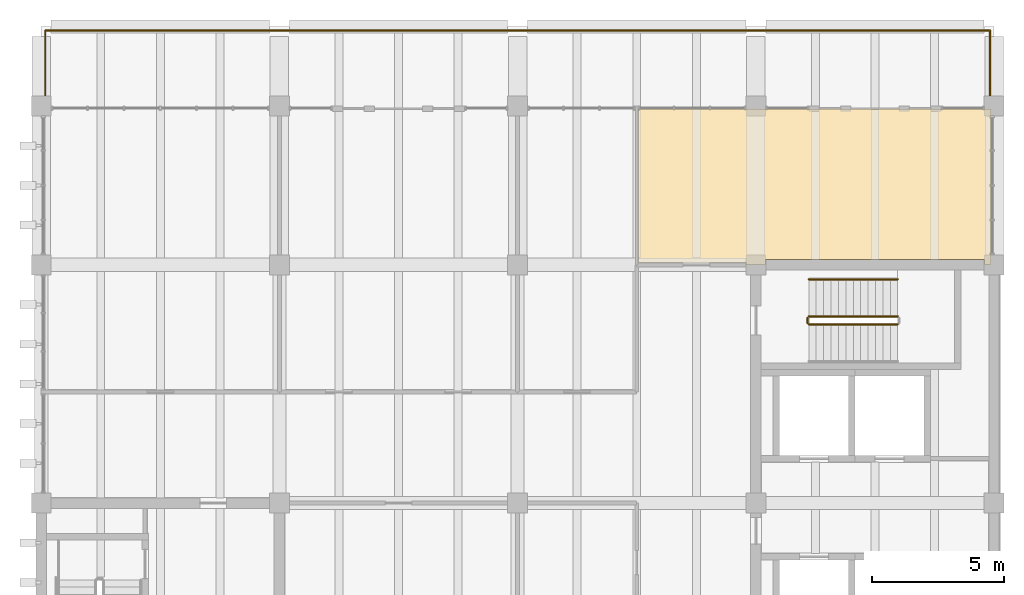
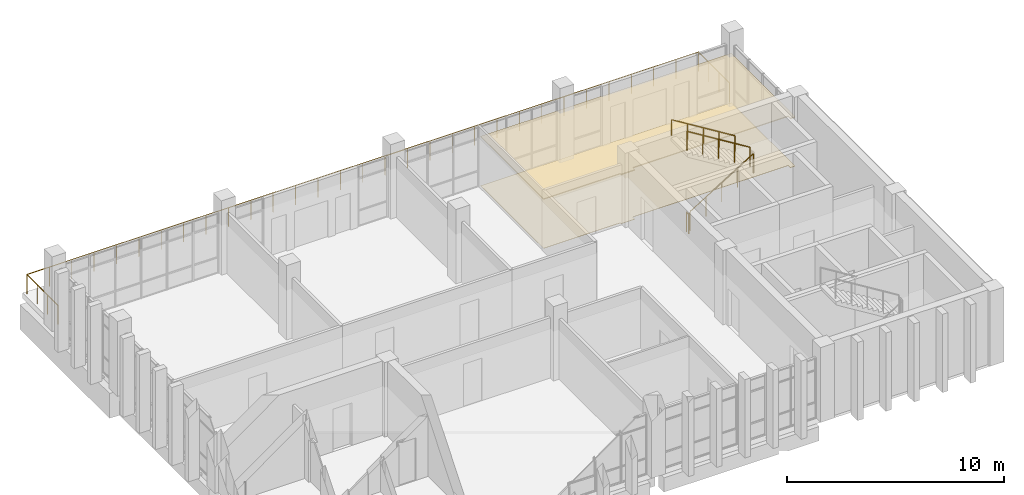
# One storey, part 14 of 15: 5 railings, 2 coverings.
"""IFC4 building model written with IfcOpenShell, lengths in metres."""

from ifc_helpers import new_model, si_unit, direction, frame, origin, origin_2d, place, context, subcontext, project, spatial, polyline, circle, outline, extrude, material, layer, layer_set, type_object, element, save


model = new_model("IFC4")

# Units and contexts
model_context = context("Model", 3, precision=1e-05, world=origin(), true_north=direction((0.0, 1.0)))
body_context = subcontext(model_context, "Body", "Model", "MODEL_VIEW")
ifc_project = project(units=[si_unit("LENGTHUNIT", "METRE"), si_unit("AREAUNIT", "SQUARE_METRE"), si_unit("VOLUMEUNIT", "CUBIC_METRE"), si_unit("PLANEANGLEUNIT", "RADIAN"), si_unit("MASSUNIT", "GRAM", prefix="KILO")], contexts=[model_context])

# Site, building, storey
site_placement = place(None, origin())
site = spatial("IfcSite", under=ifc_project, at=site_placement, CompositionType="ELEMENT")
building_placement = place(site_placement, origin())
building = spatial("IfcBuilding", under=site, at=building_placement, Name="Merrow Basin Faculty of Sciences", CompositionType="ELEMENT")
storey_placement = place(building_placement, frame((0.0, 0.0, 31.5)))
storey = spatial("IfcBuildingStorey", under=building, at=storey_placement, Name="L07", CompositionType="ELEMENT", Elevation=31.5)

# Covering
ifc_material_1 = material(Name="Carpet tile floor")
ifc_layer_1 = layer(ifc_material_1, 0.02001953125)
ifc_layer_set_1 = layer_set([ifc_layer_1], Name="Carpet tile floor")
covering_type_1 = type_object("IfcCoveringType", Name="Carpet tile floor", PredefinedType="FLOORING", material=ifc_layer_set_1)
covering_1_placement = place(storey_placement, origin())
element("IfcCovering", 1, at=covering_1_placement, inside=storey, type_object=covering_type_1, Name="Floor finish L07-T-018", PredefinedType="FLOORING", context=body_context, shape_type="SweptSolid", body=[
    extrude(outline(polyline([(53.889892578125, 165.889892578125), (53.889892578125, 160.010009765625), (53.635009765625, 160.010009765625), (53.635009765625, 160.2099609375), (45.364990234375, 160.2099609375), (45.364990234375, 160.010009765625), (44.635009765625, 160.010009765625), (44.635009765625, 160.0849609375), (40.56005859375, 160.0849609375), (40.56005859375, 165.889892578125), (53.889892578125, 165.889892578125)])), origin(), (0.0, 0.0, 1.0), 0.02001953125),
])

# Railings
ifc_material_2 = material(Name="Steel ASTM A36", Category="steel")
railing_type_1 = type_object("IfcRailingType", Name="Steel guard 1100", PredefinedType="GUARDRAIL", material=ifc_material_2)
railing_1_placement = place(storey_placement, frame((47.0, 157.75, 0.173095703125)))
element("IfcRailing", 2, at=railing_1_placement, inside=storey, type_object=railing_type_1, Name="L07 ST-V5-S stair guard 1", PredefinedType="GUARDRAIL", context=body_context, shape_type="SweptSolid", body=[
    extrude(circle(Radius=0.02392578125, at=origin_2d()), frame((0.0, 0.0, 1.076171875), z_axis=(0.850623216509, 0.0, 0.525775754039), x_axis=(0.0, 1.0, 0.0)), (0.0, 0.0, 1.0), 3.9501953125),
    extrude(circle(Radius=0.02099609375, at=origin_2d()), origin(), (0.0, 0.0, 1.0), 1.052001953125),
    extrude(circle(Radius=0.02099609375, at=origin_2d()), frame((0.840087890625, 0.0, 0.519287109375)), (0.0, 0.0, 1.0), 1.052001953125),
    extrude(circle(Radius=0.02099609375, at=origin_2d()), frame((1.68017578125, 0.0, 1.03857421875)), (0.0, 0.0, 1.0), 1.052001953125),
    extrude(circle(Radius=0.02099609375, at=origin_2d()), frame((2.52001953125, 0.0, 1.5576171875)), (0.0, 0.0, 1.0), 1.052001953125),
    extrude(circle(Radius=0.02099609375, at=origin_2d()), frame((3.360107421875, 0.0, 2.076904296875)), (0.0, 0.0, 1.0), 1.052001953125),
])
railing_2_placement = place(storey_placement, frame((50.360107421875, 158.050048828125, 2.423095703125)))
element("IfcRailing", 3, at=railing_2_placement, inside=storey, type_object=railing_type_1, Name="L07 ST-V5-S stair guard 3", PredefinedType="GUARDRAIL", context=body_context, shape_type="SweptSolid", body=[
    extrude(circle(Radius=0.02392578125, at=origin_2d()), frame((0.0, 0.0, 1.076171875), z_axis=(-0.850623216509, 0.0, 0.525775754039), x_axis=(0.0, -1.0, 0.0)), (0.0, 0.0, 1.0), 3.9501953125),
    extrude(circle(Radius=0.02099609375, at=origin_2d()), origin(), (0.0, 0.0, 1.0), 1.052001953125),
    extrude(circle(Radius=0.02099609375, at=origin_2d()), frame((-0.840087890625, 0.0, 0.519287109375)), (0.0, 0.0, 1.0), 1.052001953125),
    extrude(circle(Radius=0.02099609375, at=origin_2d()), frame((-1.68017578125, 0.0, 1.03857421875)), (0.0, 0.0, 1.0), 1.052001953125),
    extrude(circle(Radius=0.02099609375, at=origin_2d()), frame((-2.52001953125, 0.0, 1.5576171875)), (0.0, 0.0, 1.0), 1.052001953125),
    extrude(circle(Radius=0.02099609375, at=origin_2d()), frame((-3.360107421875, 0.0, 2.076904296875)), (0.0, 0.0, 1.0), 1.052001953125),
])
railing_3_placement = place(storey_placement, frame((46.949951171875, 157.800048828125, 0.0)))
element("IfcRailing", 4, at=railing_3_placement, inside=storey, type_object=railing_type_1, Name="L07 ST-V5-S stair guard 4", PredefinedType="GUARDRAIL", context=body_context, shape_type="SweptSolid", body=[
    extrude(circle(Radius=0.02392578125, at=origin_2d()), frame((0.0, 0.0, 1.076171875), z_axis=(0.0, 1.0, 0.0), x_axis=(-1.0, 0.0, 0.0)), (0.0, 0.0, 1.0), 0.199951171875),
    extrude(circle(Radius=0.02099609375, at=origin_2d()), origin(), (0.0, 0.0, 1.0), 1.052001953125),
    extrude(circle(Radius=0.02099609375, at=origin_2d()), frame((0.0, 0.199951171875, 0.0)), (0.0, 0.0, 1.0), 1.052001953125),
])
ifc_material_3 = material(Name="Steel ASTM A36", Category="steel")
railing_type_2 = type_object("IfcRailingType", Name="Steel handrail 900", PredefinedType="HANDRAIL", material=ifc_material_3)
railing_4_placement = place(storey_placement, frame((50.360107421875, 159.449951171875, 2.423095703125)))
element("IfcRailing", 5, at=railing_4_placement, inside=storey, type_object=railing_type_2, Name="L07 ST-V5-S stair handrail 2", PredefinedType="HANDRAIL", context=body_context, shape_type="SweptSolid", body=[
    extrude(circle(Radius=0.02392578125, at=origin_2d()), frame((0.0, 0.0, 0.8759765625), z_axis=(-0.850623216509, 0.0, 0.525775754039), x_axis=(0.0, -1.0, 0.0)), (0.0, 0.0, 1.0), 3.9501953125),
    extrude(circle(Radius=0.02099609375, at=origin_2d()), origin(), (0.0, 0.0, 1.0), 0.851806640625),
    extrude(circle(Radius=0.02099609375, at=origin_2d()), frame((-0.840087890625, 0.0, 0.519287109375)), (0.0, 0.0, 1.0), 0.851806640625),
    extrude(circle(Radius=0.02099609375, at=origin_2d()), frame((-1.68017578125, 0.0, 1.03857421875)), (0.0, 0.0, 1.0), 0.851806640625),
    extrude(circle(Radius=0.02099609375, at=origin_2d()), frame((-2.52001953125, 0.0, 1.5576171875)), (0.0, 0.0, 1.0), 0.851806640625),
    extrude(circle(Radius=0.02099609375, at=origin_2d()), frame((-3.360107421875, 0.0, 2.076904296875)), (0.0, 0.0, 1.0), 0.851806640625),
])

# Covering
ifc_material_4 = material(Name="Mineral fibre ceiling tile")
ifc_layer_2 = layer(ifc_material_4, 0.050048828125)
ifc_layer_set_2 = layer_set([ifc_layer_2], Name="Suspended acoustic ceiling tile")
covering_type_2 = type_object("IfcCoveringType", Name="Suspended acoustic ceiling tile", PredefinedType="CEILING", material=ifc_layer_set_2)
covering_2_placement = place(storey_placement, frame((0.0, 0.0, 2.75)))
element("IfcCovering", 6, at=covering_2_placement, inside=storey, type_object=covering_type_2, Name="Ceiling L07-T-018", PredefinedType="CEILING", context=body_context, shape_type="SweptSolid", body=[
    extrude(outline(polyline([(53.889892578125, 165.889892578125), (53.889892578125, 160.010009765625), (53.635009765625, 160.010009765625), (53.635009765625, 160.2099609375), (45.364990234375, 160.2099609375), (45.364990234375, 160.010009765625), (44.635009765625, 160.010009765625), (44.635009765625, 160.0849609375), (40.56005859375, 160.0849609375), (40.56005859375, 165.889892578125), (53.889892578125, 165.889892578125)])), origin(), (0.0, 0.0, 1.0), 0.050048828125),
])

# Railing
ifc_material_5 = material(Name="Stainless steel balustrade", Category="steel")
railing_type_3 = type_object("IfcRailingType", Name="Terrace guard 1100", PredefinedType="GUARDRAIL", material=ifc_material_5)
railing_5_placement = place(storey_placement, frame((18.14990234375, 166.0, 0.0)))
element("IfcRailing", 7, at=railing_5_placement, inside=storey, type_object=railing_type_3, Name="Terrace guard", PredefinedType="GUARDRAIL", context=body_context, shape_type="SweptSolid", body=[
    extrude(circle(Radius=0.02392578125, at=origin_2d()), frame((0.0, 0.0, 1.076171875), z_axis=(0.0, 1.0, 0.0), x_axis=(-1.0, 0.0, 0.0)), (0.0, 0.0, 1.0), 2.85009765625),
    extrude(circle(Radius=0.02392578125, at=origin_2d()), frame((0.0, 2.85009765625, 1.076171875), z_axis=(1.0, 0.0, 0.0), x_axis=(0.0, 1.0, 0.0)), (0.0, 0.0, 1.0), 35.7001953125),
    extrude(circle(Radius=0.02392578125, at=origin_2d()), frame((35.7001953125, 2.85009765625, 1.076171875), z_axis=(0.0, -1.0, 0.0), x_axis=(1.0, 0.0, 0.0)), (0.0, 0.0, 1.0), 2.85009765625),
    extrude(circle(Radius=0.02099609375, at=origin_2d()), origin(), (0.0, 0.0, 1.0), 1.052001953125),
    extrude(circle(Radius=0.02099609375, at=origin_2d()), frame((0.0, 0.949951171875, 0.0)), (0.0, 0.0, 1.0), 1.052001953125),
    extrude(circle(Radius=0.02099609375, at=origin_2d()), frame((0.0, 1.900146484375, 0.0)), (0.0, 0.0, 1.0), 1.052001953125),
    extrude(circle(Radius=0.02099609375, at=origin_2d()), frame((0.0, 2.85009765625, 0.0)), (0.0, 0.0, 1.0), 1.052001953125),
    extrude(circle(Radius=0.02099609375, at=origin_2d()), frame((1.18994140625, 2.85009765625, 0.0)), (0.0, 0.0, 1.0), 1.052001953125),
    extrude(circle(Radius=0.02099609375, at=origin_2d()), frame((2.380126953125, 2.85009765625, 0.0)), (0.0, 0.0, 1.0), 1.052001953125),
    extrude(circle(Radius=0.02099609375, at=origin_2d()), frame((3.570068359375, 2.85009765625, 0.0)), (0.0, 0.0, 1.0), 1.052001953125),
    extrude(circle(Radius=0.02099609375, at=origin_2d()), frame((4.760009765625, 2.85009765625, 0.0)), (0.0, 0.0, 1.0), 1.052001953125),
    extrude(circle(Radius=0.02099609375, at=origin_2d()), frame((5.949951171875, 2.85009765625, 0.0)), (0.0, 0.0, 1.0), 1.052001953125),
    extrude(circle(Radius=0.02099609375, at=origin_2d()), frame((7.14013671875, 2.85009765625, 0.0)), (0.0, 0.0, 1.0), 1.052001953125),
    extrude(circle(Radius=0.02099609375, at=origin_2d()), frame((8.330078125, 2.85009765625, 0.0)), (0.0, 0.0, 1.0), 1.052001953125),
    extrude(circle(Radius=0.02099609375, at=origin_2d()), frame((9.52001953125, 2.85009765625, 0.0)), (0.0, 0.0, 1.0), 1.052001953125),
    extrude(circle(Radius=0.02099609375, at=origin_2d()), frame((10.7099609375, 2.85009765625, 0.0)), (0.0, 0.0, 1.0), 1.052001953125),
    extrude(circle(Radius=0.02099609375, at=origin_2d()), frame((11.900146484375, 2.85009765625, 0.0)), (0.0, 0.0, 1.0), 1.052001953125),
    extrude(circle(Radius=0.02099609375, at=origin_2d()), frame((13.090087890625, 2.85009765625, 0.0)), (0.0, 0.0, 1.0), 1.052001953125),
    extrude(circle(Radius=0.02099609375, at=origin_2d()), frame((14.280029296875, 2.85009765625, 0.0)), (0.0, 0.0, 1.0), 1.052001953125),
    extrude(circle(Radius=0.02099609375, at=origin_2d()), frame((15.469970703125, 2.85009765625, 0.0)), (0.0, 0.0, 1.0), 1.052001953125),
    extrude(circle(Radius=0.02099609375, at=origin_2d()), frame((16.66015625, 2.85009765625, 0.0)), (0.0, 0.0, 1.0), 1.052001953125),
    extrude(circle(Radius=0.02099609375, at=origin_2d()), frame((17.85009765625, 2.85009765625, 0.0)), (0.0, 0.0, 1.0), 1.052001953125),
    extrude(circle(Radius=0.02099609375, at=origin_2d()), frame((19.0400390625, 2.85009765625, 0.0)), (0.0, 0.0, 1.0), 1.052001953125),
    extrude(circle(Radius=0.02099609375, at=origin_2d()), frame((20.230224609375, 2.85009765625, 0.0)), (0.0, 0.0, 1.0), 1.052001953125),
    extrude(circle(Radius=0.02099609375, at=origin_2d()), frame((21.420166015625, 2.85009765625, 0.0)), (0.0, 0.0, 1.0), 1.052001953125),
    extrude(circle(Radius=0.02099609375, at=origin_2d()), frame((22.610107421875, 2.85009765625, 0.0)), (0.0, 0.0, 1.0), 1.052001953125),
    extrude(circle(Radius=0.02099609375, at=origin_2d()), frame((23.800048828125, 2.85009765625, 0.0)), (0.0, 0.0, 1.0), 1.052001953125),
    extrude(circle(Radius=0.02099609375, at=origin_2d()), frame((24.990234375, 2.85009765625, 0.0)), (0.0, 0.0, 1.0), 1.052001953125),
    extrude(circle(Radius=0.02099609375, at=origin_2d()), frame((26.18017578125, 2.85009765625, 0.0)), (0.0, 0.0, 1.0), 1.052001953125),
    extrude(circle(Radius=0.02099609375, at=origin_2d()), frame((27.3701171875, 2.85009765625, 0.0)), (0.0, 0.0, 1.0), 1.052001953125),
    extrude(circle(Radius=0.02099609375, at=origin_2d()), frame((28.56005859375, 2.85009765625, 0.0)), (0.0, 0.0, 1.0), 1.052001953125),
    extrude(circle(Radius=0.02099609375, at=origin_2d()), frame((29.750244140625, 2.85009765625, 0.0)), (0.0, 0.0, 1.0), 1.052001953125),
    extrude(circle(Radius=0.02099609375, at=origin_2d()), frame((30.940185546875, 2.85009765625, 0.0)), (0.0, 0.0, 1.0), 1.052001953125),
    extrude(circle(Radius=0.02099609375, at=origin_2d()), frame((32.130126953125, 2.85009765625, 0.0)), (0.0, 0.0, 1.0), 1.052001953125),
    extrude(circle(Radius=0.02099609375, at=origin_2d()), frame((33.320068359375, 2.85009765625, 0.0)), (0.0, 0.0, 1.0), 1.052001953125),
    extrude(circle(Radius=0.02099609375, at=origin_2d()), frame((34.51025390625, 2.85009765625, 0.0)), (0.0, 0.0, 1.0), 1.052001953125),
    extrude(circle(Radius=0.02099609375, at=origin_2d()), frame((35.7001953125, 2.85009765625, 0.0)), (0.0, 0.0, 1.0), 1.052001953125),
    extrude(circle(Radius=0.02099609375, at=origin_2d()), frame((35.7001953125, 1.900146484375, 0.0)), (0.0, 0.0, 1.0), 1.052001953125),
    extrude(circle(Radius=0.02099609375, at=origin_2d()), frame((35.7001953125, 0.949951171875, 0.0)), (0.0, 0.0, 1.0), 1.052001953125),
    extrude(circle(Radius=0.02099609375, at=origin_2d()), frame((35.7001953125, 0.0, 0.0)), (0.0, 0.0, 1.0), 1.052001953125),
])

save(model, "model.ifc")
